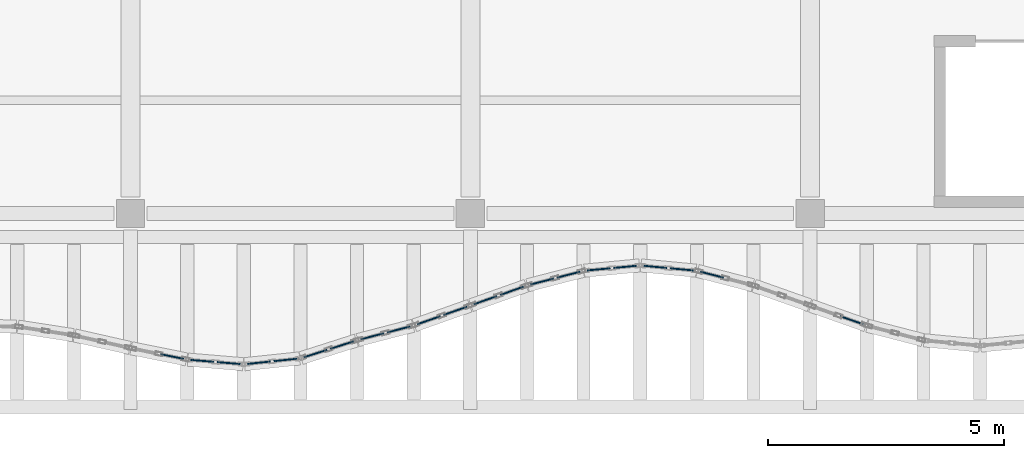
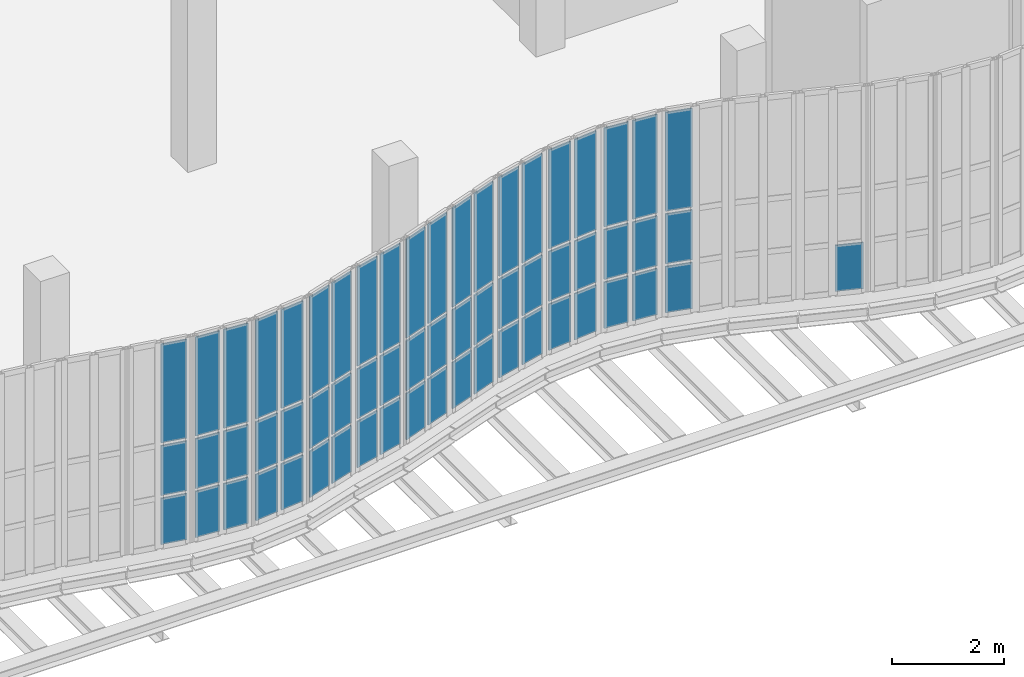
# One storey, part 78 of 105: 61 plates, 12 elements without a shape of their own.
"""IFC4 building model written with IfcOpenShell, lengths in metres."""

from ifc_helpers import new_model, si_unit, direction, frame, origin, origin_2d, place, context, subcontext, project, spatial, rectangle, extrude, material, layer, layer_set, type_object, element, aggregate, save


model = new_model("IFC4")

# Units and contexts
model_context = context("Model", 3, precision=1e-05, world=origin(), true_north=direction((0.0, 1.0)))
body_context = subcontext(model_context, "Body", "Model", "MODEL_VIEW")
ifc_project = project(units=[si_unit("LENGTHUNIT", "METRE"), si_unit("AREAUNIT", "SQUARE_METRE"), si_unit("VOLUMEUNIT", "CUBIC_METRE"), si_unit("PLANEANGLEUNIT", "RADIAN"), si_unit("MASSUNIT", "GRAM", prefix="KILO"), si_unit("THERMODYNAMICTEMPERATUREUNIT", "KELVIN"), si_unit("POWERUNIT", "WATT")], contexts=[model_context])

# Site, building, storey
site_placement = place(None, origin())
site = spatial("IfcSite", under=ifc_project, at=site_placement, CompositionType="ELEMENT")
building_placement = place(site_placement, origin())
building = spatial("IfcBuilding", under=site, at=building_placement, Name="Kaldorven Railside Theatre", CompositionType="ELEMENT")
storey_placement = place(building_placement, frame((0.0, 0.0, 9.89990234375)))
storey = spatial("IfcBuildingStorey", under=building, at=storey_placement, Name="L02", CompositionType="ELEMENT", Elevation=9.89990234375)

# Curtain wall, plates
ifc_material = material(Name="Low-E laminated solar-control glass", Category="glass")
ifc_layer_1 = layer(ifc_material, 0.159912109375, Name="Low-E laminated solar-control glass")
ifc_layer_set_1 = layer_set([ifc_layer_1], Name="Low-E laminated solar-control glass")
curtain_wall_type_1 = type_object("IfcCurtainWallType", Name="CWT-07", PredefinedType="USERDEFINED", material=ifc_layer_set_1)
curtain_wall_1_placement = place(storey_placement, origin())
curtain_wall_1 = element("IfcCurtainWall", 1, at=curtain_wall_1_placement, inside=storey, type_object=curtain_wall_type_1, Name="Sinusoidal Fluted Curtain Wall CW-L02-S43", ObjectType="FLUTED GLAZING", PredefinedType="USERDEFINED")
ifc_layer_2 = layer(ifc_material, 0.028076171875, Name="Low-E laminated solar-control glass")
ifc_layer_set_2 = layer_set([ifc_layer_2], Name="Low-E laminated solar-control glass")
plate_type = type_object("IfcPlateType", Name="CWP-GLZ28", PredefinedType="CURTAIN_PANEL", material=ifc_layer_set_2)
plate_1_placement = place(storey_placement, frame((88.080322265625, 16.169189453125, 0.06005859375), z_axis=(0.0, 0.0, 1.0), x_axis=(0.980122525097, -0.198393134453, 0.0)))
plate_1 = element("IfcPlate", 2, at=plate_1_placement, type_object=plate_type, Name="CW-L02-S43 panel 2.1", PredefinedType="CURTAIN_PANEL", context=body_context, shape_type="SweptSolid", body=[
    extrude(rectangle(XDim=0.4921875, YDim=0.028076171875, at=origin_2d()), origin(), (0.0, 0.0, 1.0), 1.010009765625),
])
plate_2_placement = place(storey_placement, frame((88.080322265625, 16.169189453125, 1.1298828125), z_axis=(0.0, 0.0, 1.0), x_axis=(0.980122525097, -0.198393134453, 0.0)))
plate_2 = element("IfcPlate", 3, at=plate_2_placement, type_object=plate_type, Name="CW-L02-S43 panel 2.2", PredefinedType="CURTAIN_PANEL", context=body_context, shape_type="SweptSolid", body=[
    extrude(rectangle(XDim=0.4921875, YDim=0.028076171875, at=origin_2d()), origin(), (0.0, 0.0, 1.0), 1.090087890625),
])
plate_3_placement = place(storey_placement, frame((88.080322265625, 16.169189453125, 2.2802734375), z_axis=(0.0, 0.0, 1.0), x_axis=(0.980122525097, -0.198393134453, 0.0)))
plate_3 = element("IfcPlate", 4, at=plate_3_placement, type_object=plate_type, Name="CW-L02-S43 panel 2.3", PredefinedType="CURTAIN_PANEL", context=body_context, shape_type="SweptSolid", body=[
    extrude(rectangle(XDim=0.4921875, YDim=0.028076171875, at=origin_2d()), origin(), (0.0, 0.0, 1.0), 2.159912109375),
])
aggregate(curtain_wall_1, [plate_1, plate_2, plate_3])

ifc_layer_3 = layer(ifc_material, 0.159912109375, Name="Low-E laminated solar-control glass")
ifc_layer_set_3 = layer_set([ifc_layer_3], Name="Low-E laminated solar-control glass")
curtain_wall_type_2 = type_object("IfcCurtainWallType", Name="CWT-03", PredefinedType="USERDEFINED", material=ifc_layer_set_3)
curtain_wall_2_placement = place(storey_placement, origin())
curtain_wall_2 = element("IfcCurtainWall", 5, at=curtain_wall_2_placement, inside=storey, type_object=curtain_wall_type_2, Name="Sinusoidal Fluted Curtain Wall CW-L02-S44", ObjectType="FLUTED GLAZING", PredefinedType="USERDEFINED")
plate_4_placement = place(storey_placement, frame((88.719970703125, 16.07763671875, 0.06005859375), z_axis=(0.0, 0.0, 1.0), x_axis=(0.996531999326, -0.08321042194, 0.0)))
plate_4 = element("IfcPlate", 6, at=plate_4_placement, type_object=plate_type, Name="CW-L02-S44 panel 1.1", PredefinedType="CURTAIN_PANEL", context=body_context, shape_type="SweptSolid", body=[
    extrude(rectangle(XDim=0.482177734375, YDim=0.028076171875, at=origin_2d()), origin(), (0.0, 0.0, 1.0), 1.010009765625),
])
plate_5_placement = place(storey_placement, frame((88.719970703125, 16.07763671875, 1.1298828125), z_axis=(0.0, 0.0, 1.0), x_axis=(0.996531999326, -0.08321042194, 0.0)))
plate_5 = element("IfcPlate", 7, at=plate_5_placement, type_object=plate_type, Name="CW-L02-S44 panel 1.2", PredefinedType="CURTAIN_PANEL", context=body_context, shape_type="SweptSolid", body=[
    extrude(rectangle(XDim=0.482177734375, YDim=0.028076171875, at=origin_2d()), origin(), (0.0, 0.0, 1.0), 1.090087890625),
])
plate_6_placement = place(storey_placement, frame((88.719970703125, 16.07763671875, 2.2802734375), z_axis=(0.0, 0.0, 1.0), x_axis=(0.996531999326, -0.08321042194, 0.0)))
plate_6 = element("IfcPlate", 8, at=plate_6_placement, type_object=plate_type, Name="CW-L02-S44 panel 1.3", PredefinedType="CURTAIN_PANEL", context=body_context, shape_type="SweptSolid", body=[
    extrude(rectangle(XDim=0.482177734375, YDim=0.028076171875, at=origin_2d()), origin(), (0.0, 0.0, 1.0), 2.159912109375),
])
plate_7_placement = place(storey_placement, frame((89.280029296875, 16.031005859375, 0.06005859375), z_axis=(0.0, 0.0, 1.0), x_axis=(0.996531999326, -0.08321042194, 0.0)))
plate_7 = element("IfcPlate", 9, at=plate_7_placement, type_object=plate_type, Name="CW-L02-S44 panel 2.1", PredefinedType="CURTAIN_PANEL", context=body_context, shape_type="SweptSolid", body=[
    extrude(rectangle(XDim=0.482177734375, YDim=0.028076171875, at=origin_2d()), origin(), (0.0, 0.0, 1.0), 1.010009765625),
])
plate_8_placement = place(storey_placement, frame((89.280029296875, 16.031005859375, 1.1298828125), z_axis=(0.0, 0.0, 1.0), x_axis=(0.996531999326, -0.08321042194, 0.0)))
plate_8 = element("IfcPlate", 10, at=plate_8_placement, type_object=plate_type, Name="CW-L02-S44 panel 2.2", PredefinedType="CURTAIN_PANEL", context=body_context, shape_type="SweptSolid", body=[
    extrude(rectangle(XDim=0.482177734375, YDim=0.028076171875, at=origin_2d()), origin(), (0.0, 0.0, 1.0), 1.090087890625),
])
plate_9_placement = place(storey_placement, frame((89.280029296875, 16.031005859375, 2.2802734375), z_axis=(0.0, 0.0, 1.0), x_axis=(0.996531999326, -0.08321042194, 0.0)))
plate_9 = element("IfcPlate", 11, at=plate_9_placement, type_object=plate_type, Name="CW-L02-S44 panel 2.3", PredefinedType="CURTAIN_PANEL", context=body_context, shape_type="SweptSolid", body=[
    extrude(rectangle(XDim=0.482177734375, YDim=0.028076171875, at=origin_2d()), origin(), (0.0, 0.0, 1.0), 2.159912109375),
])
aggregate(curtain_wall_2, [plate_4, plate_5, plate_6, plate_7, plate_8, plate_9])

curtain_wall_3_placement = place(storey_placement, origin())
curtain_wall_3 = element("IfcCurtainWall", 12, at=curtain_wall_3_placement, inside=storey, type_object=curtain_wall_type_2, Name="Sinusoidal Fluted Curtain Wall CW-L02-S45", ObjectType="FLUTED GLAZING", PredefinedType="USERDEFINED")
plate_10_placement = place(storey_placement, frame((89.919921875, 16.037841796875, 0.06005859375), z_axis=(0.0, 0.0, 1.0), x_axis=(0.994524056135, 0.104507902898, 0.0)))
plate_10 = element("IfcPlate", 13, at=plate_10_placement, type_object=plate_type, Name="CW-L02-S45 panel 1.1", PredefinedType="CURTAIN_PANEL", context=body_context, shape_type="SweptSolid", body=[
    extrude(rectangle(XDim=0.4833984375, YDim=0.028076171875, at=origin_2d()), origin(), (0.0, 0.0, 1.0), 1.010009765625),
])
plate_11_placement = place(storey_placement, frame((89.919921875, 16.037841796875, 1.1298828125), z_axis=(0.0, 0.0, 1.0), x_axis=(0.994524056135, 0.104507902898, 0.0)))
plate_11 = element("IfcPlate", 14, at=plate_11_placement, type_object=plate_type, Name="CW-L02-S45 panel 1.2", PredefinedType="CURTAIN_PANEL", context=body_context, shape_type="SweptSolid", body=[
    extrude(rectangle(XDim=0.4833984375, YDim=0.028076171875, at=origin_2d()), origin(), (0.0, 0.0, 1.0), 1.090087890625),
])
plate_12_placement = place(storey_placement, frame((89.919921875, 16.037841796875, 2.2802734375), z_axis=(0.0, 0.0, 1.0), x_axis=(0.994524056135, 0.104507902898, 0.0)))
plate_12 = element("IfcPlate", 15, at=plate_12_placement, type_object=plate_type, Name="CW-L02-S45 panel 1.3", PredefinedType="CURTAIN_PANEL", context=body_context, shape_type="SweptSolid", body=[
    extrude(rectangle(XDim=0.4833984375, YDim=0.028076171875, at=origin_2d()), origin(), (0.0, 0.0, 1.0), 2.159912109375),
])
plate_13_placement = place(storey_placement, frame((90.480224609375, 16.0966796875, 0.06005859375), z_axis=(0.0, 0.0, 1.0), x_axis=(0.994524056135, 0.104507902898, 0.0)))
plate_13 = element("IfcPlate", 16, at=plate_13_placement, type_object=plate_type, Name="CW-L02-S45 panel 2.1", PredefinedType="CURTAIN_PANEL", context=body_context, shape_type="SweptSolid", body=[
    extrude(rectangle(XDim=0.4833984375, YDim=0.028076171875, at=origin_2d()), origin(), (0.0, 0.0, 1.0), 1.010009765625),
])
plate_14_placement = place(storey_placement, frame((90.480224609375, 16.0966796875, 1.1298828125), z_axis=(0.0, 0.0, 1.0), x_axis=(0.994524056135, 0.104507902898, 0.0)))
plate_14 = element("IfcPlate", 17, at=plate_14_placement, type_object=plate_type, Name="CW-L02-S45 panel 2.2", PredefinedType="CURTAIN_PANEL", context=body_context, shape_type="SweptSolid", body=[
    extrude(rectangle(XDim=0.4833984375, YDim=0.028076171875, at=origin_2d()), origin(), (0.0, 0.0, 1.0), 1.090087890625),
])
plate_15_placement = place(storey_placement, frame((90.480224609375, 16.0966796875, 2.2802734375), z_axis=(0.0, 0.0, 1.0), x_axis=(0.994524056135, 0.104507902898, 0.0)))
plate_15 = element("IfcPlate", 18, at=plate_15_placement, type_object=plate_type, Name="CW-L02-S45 panel 2.3", PredefinedType="CURTAIN_PANEL", context=body_context, shape_type="SweptSolid", body=[
    extrude(rectangle(XDim=0.4833984375, YDim=0.028076171875, at=origin_2d()), origin(), (0.0, 0.0, 1.0), 2.159912109375),
])
aggregate(curtain_wall_3, [plate_10, plate_11, plate_12, plate_13, plate_14, plate_15])

ifc_layer_4 = layer(ifc_material, 0.159912109375, Name="Low-E laminated solar-control glass")
ifc_layer_set_4 = layer_set([ifc_layer_4], Name="Low-E laminated solar-control glass")
curtain_wall_type_3 = type_object("IfcCurtainWallType", Name="CWT-04", PredefinedType="USERDEFINED", material=ifc_layer_set_4)
curtain_wall_4_placement = place(storey_placement, origin())
curtain_wall_4 = element("IfcCurtainWall", 19, at=curtain_wall_4_placement, inside=storey, type_object=curtain_wall_type_3, Name="Sinusoidal Fluted Curtain Wall CW-L02-S46", ObjectType="FLUTED GLAZING", PredefinedType="USERDEFINED")
plate_16_placement = place(storey_placement, frame((91.119140625, 16.232177734375, 0.06005859375), z_axis=(0.0, 0.0, 1.0), x_axis=(0.952516267779, 0.304487700272, 0.0)))
plate_16 = element("IfcPlate", 20, at=plate_16_placement, type_object=plate_type, Name="CW-L02-S46 panel 1.1", PredefinedType="CURTAIN_PANEL", context=body_context, shape_type="SweptSolid", body=[
    extrude(rectangle(XDim=0.510009765625, YDim=0.028076171875, at=origin_2d()), origin(), (0.0, 0.0, 1.0), 1.010009765625),
])
plate_17_placement = place(storey_placement, frame((91.119140625, 16.232177734375, 1.1298828125), z_axis=(0.0, 0.0, 1.0), x_axis=(0.952516267779, 0.304487700272, 0.0)))
plate_17 = element("IfcPlate", 21, at=plate_17_placement, type_object=plate_type, Name="CW-L02-S46 panel 1.2", PredefinedType="CURTAIN_PANEL", context=body_context, shape_type="SweptSolid", body=[
    extrude(rectangle(XDim=0.510009765625, YDim=0.028076171875, at=origin_2d()), origin(), (0.0, 0.0, 1.0), 1.090087890625),
])
plate_18_placement = place(storey_placement, frame((91.119140625, 16.232177734375, 2.2802734375), z_axis=(0.0, 0.0, 1.0), x_axis=(0.952516267779, 0.304487700272, 0.0)))
plate_18 = element("IfcPlate", 22, at=plate_18_placement, type_object=plate_type, Name="CW-L02-S46 panel 1.3", PredefinedType="CURTAIN_PANEL", context=body_context, shape_type="SweptSolid", body=[
    extrude(rectangle(XDim=0.510009765625, YDim=0.028076171875, at=origin_2d()), origin(), (0.0, 0.0, 1.0), 2.159912109375),
])
plate_19_placement = place(storey_placement, frame((91.680908203125, 16.411865234375, 0.06005859375), z_axis=(0.0, 0.0, 1.0), x_axis=(0.952516267779, 0.304487700272, 0.0)))
plate_19 = element("IfcPlate", 23, at=plate_19_placement, type_object=plate_type, Name="CW-L02-S46 panel 2.1", PredefinedType="CURTAIN_PANEL", context=body_context, shape_type="SweptSolid", body=[
    extrude(rectangle(XDim=0.510009765625, YDim=0.028076171875, at=origin_2d()), origin(), (0.0, 0.0, 1.0), 1.010009765625),
])
plate_20_placement = place(storey_placement, frame((91.680908203125, 16.411865234375, 1.1298828125), z_axis=(0.0, 0.0, 1.0), x_axis=(0.952516267779, 0.304487700272, 0.0)))
plate_20 = element("IfcPlate", 24, at=plate_20_placement, type_object=plate_type, Name="CW-L02-S46 panel 2.2", PredefinedType="CURTAIN_PANEL", context=body_context, shape_type="SweptSolid", body=[
    extrude(rectangle(XDim=0.510009765625, YDim=0.028076171875, at=origin_2d()), origin(), (0.0, 0.0, 1.0), 1.090087890625),
])
plate_21_placement = place(storey_placement, frame((91.680908203125, 16.411865234375, 2.2802734375), z_axis=(0.0, 0.0, 1.0), x_axis=(0.952516267779, 0.304487700272, 0.0)))
plate_21 = element("IfcPlate", 25, at=plate_21_placement, type_object=plate_type, Name="CW-L02-S46 panel 2.3", PredefinedType="CURTAIN_PANEL", context=body_context, shape_type="SweptSolid", body=[
    extrude(rectangle(XDim=0.510009765625, YDim=0.028076171875, at=origin_2d()), origin(), (0.0, 0.0, 1.0), 2.159912109375),
])
aggregate(curtain_wall_4, [plate_16, plate_17, plate_18, plate_19, plate_20, plate_21])

ifc_layer_5 = layer(ifc_material, 0.159912109375, Name="Low-E laminated solar-control glass")
ifc_layer_set_5 = layer_set([ifc_layer_5], Name="Low-E laminated solar-control glass")
curtain_wall_type_4 = type_object("IfcCurtainWallType", Name="CWT-02", PredefinedType="USERDEFINED", material=ifc_layer_set_5)
curtain_wall_5_placement = place(storey_placement, origin())
curtain_wall_5 = element("IfcCurtainWall", 26, at=curtain_wall_5_placement, inside=storey, type_object=curtain_wall_type_4, Name="Sinusoidal Fluted Curtain Wall CW-L02-S47", ObjectType="FLUTED GLAZING", PredefinedType="USERDEFINED")
plate_22_placement = place(storey_placement, frame((92.3193359375, 16.5966796875, 0.06005859375), z_axis=(0.0, 0.0, 1.0), x_axis=(0.967999075505, 0.250953760326, 0.0)))
plate_22 = element("IfcPlate", 27, at=plate_22_placement, type_object=plate_type, Name="CW-L02-S47 panel 1.1", PredefinedType="CURTAIN_PANEL", context=body_context, shape_type="SweptSolid", body=[
    extrude(rectangle(XDim=0.499755859375, YDim=0.028076171875, at=origin_2d()), origin(), (0.0, 0.0, 1.0), 1.010009765625),
])
plate_23_placement = place(storey_placement, frame((92.3193359375, 16.5966796875, 1.1298828125), z_axis=(0.0, 0.0, 1.0), x_axis=(0.967999075505, 0.250953760326, 0.0)))
plate_23 = element("IfcPlate", 28, at=plate_23_placement, type_object=plate_type, Name="CW-L02-S47 panel 1.2", PredefinedType="CURTAIN_PANEL", context=body_context, shape_type="SweptSolid", body=[
    extrude(rectangle(XDim=0.499755859375, YDim=0.028076171875, at=origin_2d()), origin(), (0.0, 0.0, 1.0), 1.090087890625),
])
plate_24_placement = place(storey_placement, frame((92.3193359375, 16.5966796875, 2.2802734375), z_axis=(0.0, 0.0, 1.0), x_axis=(0.967999075505, 0.250953760326, 0.0)))
plate_24 = element("IfcPlate", 29, at=plate_24_placement, type_object=plate_type, Name="CW-L02-S47 panel 1.3", PredefinedType="CURTAIN_PANEL", context=body_context, shape_type="SweptSolid", body=[
    extrude(rectangle(XDim=0.499755859375, YDim=0.028076171875, at=origin_2d()), origin(), (0.0, 0.0, 1.0), 2.159912109375),
])
plate_25_placement = place(storey_placement, frame((92.880615234375, 16.7421875, 0.06005859375), z_axis=(0.0, 0.0, 1.0), x_axis=(0.967999075505, 0.250953760326, 0.0)))
plate_25 = element("IfcPlate", 30, at=plate_25_placement, type_object=plate_type, Name="CW-L02-S47 panel 2.1", PredefinedType="CURTAIN_PANEL", context=body_context, shape_type="SweptSolid", body=[
    extrude(rectangle(XDim=0.499755859375, YDim=0.028076171875, at=origin_2d()), origin(), (0.0, 0.0, 1.0), 1.010009765625),
])
plate_26_placement = place(storey_placement, frame((92.880615234375, 16.7421875, 1.1298828125), z_axis=(0.0, 0.0, 1.0), x_axis=(0.967999075505, 0.250953760326, 0.0)))
plate_26 = element("IfcPlate", 31, at=plate_26_placement, type_object=plate_type, Name="CW-L02-S47 panel 2.2", PredefinedType="CURTAIN_PANEL", context=body_context, shape_type="SweptSolid", body=[
    extrude(rectangle(XDim=0.499755859375, YDim=0.028076171875, at=origin_2d()), origin(), (0.0, 0.0, 1.0), 1.090087890625),
])
plate_27_placement = place(storey_placement, frame((92.880615234375, 16.7421875, 2.2802734375), z_axis=(0.0, 0.0, 1.0), x_axis=(0.967999075505, 0.250953760326, 0.0)))
plate_27 = element("IfcPlate", 32, at=plate_27_placement, type_object=plate_type, Name="CW-L02-S47 panel 2.3", PredefinedType="CURTAIN_PANEL", context=body_context, shape_type="SweptSolid", body=[
    extrude(rectangle(XDim=0.499755859375, YDim=0.028076171875, at=origin_2d()), origin(), (0.0, 0.0, 1.0), 2.159912109375),
])
aggregate(curtain_wall_5, [plate_22, plate_23, plate_24, plate_25, plate_26, plate_27])

ifc_layer_6 = layer(ifc_material, 0.159912109375, Name="Low-E laminated solar-control glass")
ifc_layer_set_6 = layer_set([ifc_layer_6], Name="Low-E laminated solar-control glass")
curtain_wall_type_5 = type_object("IfcCurtainWallType", Name="CWT-01", PredefinedType="USERDEFINED", material=ifc_layer_set_6)
curtain_wall_6_placement = place(storey_placement, origin())
curtain_wall_6 = element("IfcCurtainWall", 33, at=curtain_wall_6_placement, inside=storey, type_object=curtain_wall_type_5, Name="Sinusoidal Fluted Curtain Wall CW-L02-S48", ObjectType="FLUTED GLAZING", PredefinedType="USERDEFINED")
plate_28_placement = place(storey_placement, frame((93.518798828125, 16.93798828125, 0.06005859375), z_axis=(0.0, 0.0, 1.0), x_axis=(0.942627225159, 0.33384714225, 0.0)))
plate_28 = element("IfcPlate", 34, at=plate_28_placement, type_object=plate_type, Name="CW-L02-S48 panel 1.1", PredefinedType="CURTAIN_PANEL", context=body_context, shape_type="SweptSolid", body=[
    extrude(rectangle(XDim=0.5166015625, YDim=0.028076171875, at=origin_2d()), origin(), (0.0, 0.0, 1.0), 1.010009765625),
])
plate_29_placement = place(storey_placement, frame((93.518798828125, 16.93798828125, 1.1298828125), z_axis=(0.0, 0.0, 1.0), x_axis=(0.942627225159, 0.33384714225, 0.0)))
plate_29 = element("IfcPlate", 35, at=plate_29_placement, type_object=plate_type, Name="CW-L02-S48 panel 1.2", PredefinedType="CURTAIN_PANEL", context=body_context, shape_type="SweptSolid", body=[
    extrude(rectangle(XDim=0.5166015625, YDim=0.028076171875, at=origin_2d()), origin(), (0.0, 0.0, 1.0), 1.090087890625),
])
plate_30_placement = place(storey_placement, frame((93.518798828125, 16.93798828125, 2.2802734375), z_axis=(0.0, 0.0, 1.0), x_axis=(0.942627225159, 0.33384714225, 0.0)))
plate_30 = element("IfcPlate", 36, at=plate_30_placement, type_object=plate_type, Name="CW-L02-S48 panel 1.3", PredefinedType="CURTAIN_PANEL", context=body_context, shape_type="SweptSolid", body=[
    extrude(rectangle(XDim=0.5166015625, YDim=0.028076171875, at=origin_2d()), origin(), (0.0, 0.0, 1.0), 2.159912109375),
])
plate_31_placement = place(storey_placement, frame((94.0810546875, 17.136962890625, 0.06005859375), z_axis=(0.0, 0.0, 1.0), x_axis=(0.942627225159, 0.33384714225, 0.0)))
plate_31 = element("IfcPlate", 37, at=plate_31_placement, type_object=plate_type, Name="CW-L02-S48 panel 2.1", PredefinedType="CURTAIN_PANEL", context=body_context, shape_type="SweptSolid", body=[
    extrude(rectangle(XDim=0.5166015625, YDim=0.028076171875, at=origin_2d()), origin(), (0.0, 0.0, 1.0), 1.010009765625),
])
plate_32_placement = place(storey_placement, frame((94.0810546875, 17.136962890625, 1.1298828125), z_axis=(0.0, 0.0, 1.0), x_axis=(0.942627225159, 0.33384714225, 0.0)))
plate_32 = element("IfcPlate", 38, at=plate_32_placement, type_object=plate_type, Name="CW-L02-S48 panel 2.2", PredefinedType="CURTAIN_PANEL", context=body_context, shape_type="SweptSolid", body=[
    extrude(rectangle(XDim=0.5166015625, YDim=0.028076171875, at=origin_2d()), origin(), (0.0, 0.0, 1.0), 1.090087890625),
])
plate_33_placement = place(storey_placement, frame((94.0810546875, 17.136962890625, 2.2802734375), z_axis=(0.0, 0.0, 1.0), x_axis=(0.942627225159, 0.33384714225, 0.0)))
plate_33 = element("IfcPlate", 39, at=plate_33_placement, type_object=plate_type, Name="CW-L02-S48 panel 2.3", PredefinedType="CURTAIN_PANEL", context=body_context, shape_type="SweptSolid", body=[
    extrude(rectangle(XDim=0.5166015625, YDim=0.028076171875, at=origin_2d()), origin(), (0.0, 0.0, 1.0), 2.159912109375),
])
aggregate(curtain_wall_6, [plate_28, plate_29, plate_30, plate_31, plate_32, plate_33])

curtain_wall_7_placement = place(storey_placement, origin())
curtain_wall_7 = element("IfcCurtainWall", 40, at=curtain_wall_7_placement, inside=storey, type_object=curtain_wall_type_5, Name="Sinusoidal Fluted Curtain Wall CW-L02-S49", ObjectType="FLUTED GLAZING", PredefinedType="USERDEFINED")
plate_34_placement = place(storey_placement, frame((94.71875, 17.363037109375, 0.06005859375), z_axis=(0.0, 0.0, 1.0), x_axis=(0.942627225159, 0.33384714225, 0.0)))
plate_34 = element("IfcPlate", 41, at=plate_34_placement, type_object=plate_type, Name="CW-L02-S49 panel 1.1", PredefinedType="CURTAIN_PANEL", context=body_context, shape_type="SweptSolid", body=[
    extrude(rectangle(XDim=0.5166015625, YDim=0.028076171875, at=origin_2d()), origin(), (0.0, 0.0, 1.0), 1.010009765625),
])
plate_35_placement = place(storey_placement, frame((94.71875, 17.363037109375, 1.1298828125), z_axis=(0.0, 0.0, 1.0), x_axis=(0.942627225159, 0.33384714225, 0.0)))
plate_35 = element("IfcPlate", 42, at=plate_35_placement, type_object=plate_type, Name="CW-L02-S49 panel 1.2", PredefinedType="CURTAIN_PANEL", context=body_context, shape_type="SweptSolid", body=[
    extrude(rectangle(XDim=0.5166015625, YDim=0.028076171875, at=origin_2d()), origin(), (0.0, 0.0, 1.0), 1.090087890625),
])
plate_36_placement = place(storey_placement, frame((94.71875, 17.363037109375, 2.2802734375), z_axis=(0.0, 0.0, 1.0), x_axis=(0.942627225159, 0.33384714225, 0.0)))
plate_36 = element("IfcPlate", 43, at=plate_36_placement, type_object=plate_type, Name="CW-L02-S49 panel 1.3", PredefinedType="CURTAIN_PANEL", context=body_context, shape_type="SweptSolid", body=[
    extrude(rectangle(XDim=0.5166015625, YDim=0.028076171875, at=origin_2d()), origin(), (0.0, 0.0, 1.0), 2.159912109375),
])
plate_37_placement = place(storey_placement, frame((95.28125, 17.56201171875, 0.06005859375), z_axis=(0.0, 0.0, 1.0), x_axis=(0.942627225159, 0.33384714225, 0.0)))
plate_37 = element("IfcPlate", 44, at=plate_37_placement, type_object=plate_type, Name="CW-L02-S49 panel 2.1", PredefinedType="CURTAIN_PANEL", context=body_context, shape_type="SweptSolid", body=[
    extrude(rectangle(XDim=0.5166015625, YDim=0.028076171875, at=origin_2d()), origin(), (0.0, 0.0, 1.0), 1.010009765625),
])
plate_38_placement = place(storey_placement, frame((95.28125, 17.56201171875, 1.1298828125), z_axis=(0.0, 0.0, 1.0), x_axis=(0.942627225159, 0.33384714225, 0.0)))
plate_38 = element("IfcPlate", 45, at=plate_38_placement, type_object=plate_type, Name="CW-L02-S49 panel 2.2", PredefinedType="CURTAIN_PANEL", context=body_context, shape_type="SweptSolid", body=[
    extrude(rectangle(XDim=0.5166015625, YDim=0.028076171875, at=origin_2d()), origin(), (0.0, 0.0, 1.0), 1.090087890625),
])
plate_39_placement = place(storey_placement, frame((95.28125, 17.56201171875, 2.2802734375), z_axis=(0.0, 0.0, 1.0), x_axis=(0.942627225159, 0.33384714225, 0.0)))
plate_39 = element("IfcPlate", 46, at=plate_39_placement, type_object=plate_type, Name="CW-L02-S49 panel 2.3", PredefinedType="CURTAIN_PANEL", context=body_context, shape_type="SweptSolid", body=[
    extrude(rectangle(XDim=0.5166015625, YDim=0.028076171875, at=origin_2d()), origin(), (0.0, 0.0, 1.0), 2.159912109375),
])
aggregate(curtain_wall_7, [plate_34, plate_35, plate_36, plate_37, plate_38, plate_39])

curtain_wall_8_placement = place(storey_placement, origin())
curtain_wall_8 = element("IfcCurtainWall", 47, at=curtain_wall_8_placement, inside=storey, type_object=curtain_wall_type_4, Name="Sinusoidal Fluted Curtain Wall CW-L02-S50", ObjectType="FLUTED GLAZING", PredefinedType="USERDEFINED")
plate_40_placement = place(storey_placement, frame((95.91943359375, 17.7578125, 0.06005859375), z_axis=(0.0, 0.0, 1.0), x_axis=(0.967999075505, 0.250953760326, 0.0)))
plate_40 = element("IfcPlate", 48, at=plate_40_placement, type_object=plate_type, Name="CW-L02-S50 panel 1.1", PredefinedType="CURTAIN_PANEL", context=body_context, shape_type="SweptSolid", body=[
    extrude(rectangle(XDim=0.499755859375, YDim=0.028076171875, at=origin_2d()), origin(), (0.0, 0.0, 1.0), 1.010009765625),
])
plate_41_placement = place(storey_placement, frame((95.91943359375, 17.7578125, 1.1298828125), z_axis=(0.0, 0.0, 1.0), x_axis=(0.967999075505, 0.250953760326, 0.0)))
plate_41 = element("IfcPlate", 49, at=plate_41_placement, type_object=plate_type, Name="CW-L02-S50 panel 1.2", PredefinedType="CURTAIN_PANEL", context=body_context, shape_type="SweptSolid", body=[
    extrude(rectangle(XDim=0.499755859375, YDim=0.028076171875, at=origin_2d()), origin(), (0.0, 0.0, 1.0), 1.090087890625),
])
plate_42_placement = place(storey_placement, frame((95.91943359375, 17.7578125, 2.2802734375), z_axis=(0.0, 0.0, 1.0), x_axis=(0.967999075505, 0.250953760326, 0.0)))
plate_42 = element("IfcPlate", 50, at=plate_42_placement, type_object=plate_type, Name="CW-L02-S50 panel 1.3", PredefinedType="CURTAIN_PANEL", context=body_context, shape_type="SweptSolid", body=[
    extrude(rectangle(XDim=0.499755859375, YDim=0.028076171875, at=origin_2d()), origin(), (0.0, 0.0, 1.0), 2.159912109375),
])
plate_43_placement = place(storey_placement, frame((96.480712890625, 17.9033203125, 0.06005859375), z_axis=(0.0, 0.0, 1.0), x_axis=(0.967999075505, 0.250953760326, 0.0)))
plate_43 = element("IfcPlate", 51, at=plate_43_placement, type_object=plate_type, Name="CW-L02-S50 panel 2.1", PredefinedType="CURTAIN_PANEL", context=body_context, shape_type="SweptSolid", body=[
    extrude(rectangle(XDim=0.499755859375, YDim=0.028076171875, at=origin_2d()), origin(), (0.0, 0.0, 1.0), 1.010009765625),
])
plate_44_placement = place(storey_placement, frame((96.480712890625, 17.9033203125, 1.1298828125), z_axis=(0.0, 0.0, 1.0), x_axis=(0.967999075505, 0.250953760326, 0.0)))
plate_44 = element("IfcPlate", 52, at=plate_44_placement, type_object=plate_type, Name="CW-L02-S50 panel 2.2", PredefinedType="CURTAIN_PANEL", context=body_context, shape_type="SweptSolid", body=[
    extrude(rectangle(XDim=0.499755859375, YDim=0.028076171875, at=origin_2d()), origin(), (0.0, 0.0, 1.0), 1.090087890625),
])
plate_45_placement = place(storey_placement, frame((96.480712890625, 17.9033203125, 2.2802734375), z_axis=(0.0, 0.0, 1.0), x_axis=(0.967999075505, 0.250953760326, 0.0)))
plate_45 = element("IfcPlate", 53, at=plate_45_placement, type_object=plate_type, Name="CW-L02-S50 panel 2.3", PredefinedType="CURTAIN_PANEL", context=body_context, shape_type="SweptSolid", body=[
    extrude(rectangle(XDim=0.499755859375, YDim=0.028076171875, at=origin_2d()), origin(), (0.0, 0.0, 1.0), 2.159912109375),
])
aggregate(curtain_wall_8, [plate_40, plate_41, plate_42, plate_43, plate_44, plate_45])

curtain_wall_9_placement = place(storey_placement, origin())
curtain_wall_9 = element("IfcCurtainWall", 54, at=curtain_wall_9_placement, inside=storey, type_object=curtain_wall_type_2, Name="Sinusoidal Fluted Curtain Wall CW-L02-S51", ObjectType="FLUTED GLAZING", PredefinedType="USERDEFINED")
plate_46_placement = place(storey_placement, frame((97.119873046875, 18.016357421875, 0.06005859375), z_axis=(0.0, 0.0, 1.0), x_axis=(0.995525623425, 0.094491973758, 0.0)))
plate_46 = element("IfcPlate", 55, at=plate_46_placement, type_object=plate_type, Name="CW-L02-S51 panel 1.1", PredefinedType="CURTAIN_PANEL", context=body_context, shape_type="SweptSolid", body=[
    extrude(rectangle(XDim=0.482666015625, YDim=0.028076171875, at=origin_2d()), origin(), (0.0, 0.0, 1.0), 1.010009765625),
])
plate_47_placement = place(storey_placement, frame((97.119873046875, 18.016357421875, 1.1298828125), z_axis=(0.0, 0.0, 1.0), x_axis=(0.995525623425, 0.094491973758, 0.0)))
plate_47 = element("IfcPlate", 56, at=plate_47_placement, type_object=plate_type, Name="CW-L02-S51 panel 1.2", PredefinedType="CURTAIN_PANEL", context=body_context, shape_type="SweptSolid", body=[
    extrude(rectangle(XDim=0.482666015625, YDim=0.028076171875, at=origin_2d()), origin(), (0.0, 0.0, 1.0), 1.090087890625),
])
plate_48_placement = place(storey_placement, frame((97.119873046875, 18.016357421875, 2.2802734375), z_axis=(0.0, 0.0, 1.0), x_axis=(0.995525623425, 0.094491973758, 0.0)))
plate_48 = element("IfcPlate", 57, at=plate_48_placement, type_object=plate_type, Name="CW-L02-S51 panel 1.3", PredefinedType="CURTAIN_PANEL", context=body_context, shape_type="SweptSolid", body=[
    extrude(rectangle(XDim=0.482666015625, YDim=0.028076171875, at=origin_2d()), origin(), (0.0, 0.0, 1.0), 2.159912109375),
])
plate_49_placement = place(storey_placement, frame((97.68017578125, 18.069580078125, 0.06005859375), z_axis=(0.0, 0.0, 1.0), x_axis=(0.995525623425, 0.094491973758, 0.0)))
plate_49 = element("IfcPlate", 58, at=plate_49_placement, type_object=plate_type, Name="CW-L02-S51 panel 2.1", PredefinedType="CURTAIN_PANEL", context=body_context, shape_type="SweptSolid", body=[
    extrude(rectangle(XDim=0.482666015625, YDim=0.028076171875, at=origin_2d()), origin(), (0.0, 0.0, 1.0), 1.010009765625),
])
plate_50_placement = place(storey_placement, frame((97.68017578125, 18.069580078125, 1.1298828125), z_axis=(0.0, 0.0, 1.0), x_axis=(0.995525623425, 0.094491973758, 0.0)))
plate_50 = element("IfcPlate", 59, at=plate_50_placement, type_object=plate_type, Name="CW-L02-S51 panel 2.2", PredefinedType="CURTAIN_PANEL", context=body_context, shape_type="SweptSolid", body=[
    extrude(rectangle(XDim=0.482666015625, YDim=0.028076171875, at=origin_2d()), origin(), (0.0, 0.0, 1.0), 1.090087890625),
])
plate_51_placement = place(storey_placement, frame((97.68017578125, 18.069580078125, 2.2802734375), z_axis=(0.0, 0.0, 1.0), x_axis=(0.995525623425, 0.094491973758, 0.0)))
plate_51 = element("IfcPlate", 60, at=plate_51_placement, type_object=plate_type, Name="CW-L02-S51 panel 2.3", PredefinedType="CURTAIN_PANEL", context=body_context, shape_type="SweptSolid", body=[
    extrude(rectangle(XDim=0.482666015625, YDim=0.028076171875, at=origin_2d()), origin(), (0.0, 0.0, 1.0), 2.159912109375),
])
aggregate(curtain_wall_9, [plate_46, plate_47, plate_48, plate_49, plate_50, plate_51])

curtain_wall_10_placement = place(storey_placement, origin())
curtain_wall_10 = element("IfcCurtainWall", 61, at=curtain_wall_10_placement, inside=storey, type_object=curtain_wall_type_2, Name="Sinusoidal Fluted Curtain Wall CW-L02-S52", ObjectType="FLUTED GLAZING", PredefinedType="USERDEFINED")
plate_52_placement = place(storey_placement, frame((98.31982421875, 18.069580078125, 0.06005859375), z_axis=(0.0, 0.0, 1.0), x_axis=(0.995525623425, -0.094491973758, 0.0)))
plate_52 = element("IfcPlate", 62, at=plate_52_placement, type_object=plate_type, Name="CW-L02-S52 panel 1.1", PredefinedType="CURTAIN_PANEL", context=body_context, shape_type="SweptSolid", body=[
    extrude(rectangle(XDim=0.482666015625, YDim=0.028076171875, at=origin_2d()), origin(), (0.0, 0.0, 1.0), 1.010009765625),
])
plate_53_placement = place(storey_placement, frame((98.31982421875, 18.069580078125, 1.1298828125), z_axis=(0.0, 0.0, 1.0), x_axis=(0.995525623425, -0.094491973758, 0.0)))
plate_53 = element("IfcPlate", 63, at=plate_53_placement, type_object=plate_type, Name="CW-L02-S52 panel 1.2", PredefinedType="CURTAIN_PANEL", context=body_context, shape_type="SweptSolid", body=[
    extrude(rectangle(XDim=0.482666015625, YDim=0.028076171875, at=origin_2d()), origin(), (0.0, 0.0, 1.0), 1.090087890625),
])
plate_54_placement = place(storey_placement, frame((98.31982421875, 18.069580078125, 2.2802734375), z_axis=(0.0, 0.0, 1.0), x_axis=(0.995525623425, -0.094491973758, 0.0)))
plate_54 = element("IfcPlate", 64, at=plate_54_placement, type_object=plate_type, Name="CW-L02-S52 panel 1.3", PredefinedType="CURTAIN_PANEL", context=body_context, shape_type="SweptSolid", body=[
    extrude(rectangle(XDim=0.482666015625, YDim=0.028076171875, at=origin_2d()), origin(), (0.0, 0.0, 1.0), 2.159912109375),
])
plate_55_placement = place(storey_placement, frame((98.880126953125, 18.016357421875, 0.06005859375), z_axis=(0.0, 0.0, 1.0), x_axis=(0.995525623425, -0.094491973758, 0.0)))
plate_55 = element("IfcPlate", 65, at=plate_55_placement, type_object=plate_type, Name="CW-L02-S52 panel 2.1", PredefinedType="CURTAIN_PANEL", context=body_context, shape_type="SweptSolid", body=[
    extrude(rectangle(XDim=0.482666015625, YDim=0.028076171875, at=origin_2d()), origin(), (0.0, 0.0, 1.0), 1.010009765625),
])
plate_56_placement = place(storey_placement, frame((98.880126953125, 18.016357421875, 1.1298828125), z_axis=(0.0, 0.0, 1.0), x_axis=(0.995525623425, -0.094491973758, 0.0)))
plate_56 = element("IfcPlate", 66, at=plate_56_placement, type_object=plate_type, Name="CW-L02-S52 panel 2.2", PredefinedType="CURTAIN_PANEL", context=body_context, shape_type="SweptSolid", body=[
    extrude(rectangle(XDim=0.482666015625, YDim=0.028076171875, at=origin_2d()), origin(), (0.0, 0.0, 1.0), 1.090087890625),
])
plate_57_placement = place(storey_placement, frame((98.880126953125, 18.016357421875, 2.2802734375), z_axis=(0.0, 0.0, 1.0), x_axis=(0.995525623425, -0.094491973758, 0.0)))
plate_57 = element("IfcPlate", 67, at=plate_57_placement, type_object=plate_type, Name="CW-L02-S52 panel 2.3", PredefinedType="CURTAIN_PANEL", context=body_context, shape_type="SweptSolid", body=[
    extrude(rectangle(XDim=0.482666015625, YDim=0.028076171875, at=origin_2d()), origin(), (0.0, 0.0, 1.0), 2.159912109375),
])
aggregate(curtain_wall_10, [plate_52, plate_53, plate_54, plate_55, plate_56, plate_57])

curtain_wall_11_placement = place(storey_placement, origin())
curtain_wall_11 = element("IfcCurtainWall", 68, at=curtain_wall_11_placement, inside=storey, type_object=curtain_wall_type_4, Name="Sinusoidal Fluted Curtain Wall CW-L02-S53", ObjectType="FLUTED GLAZING", PredefinedType="USERDEFINED")
plate_58_placement = place(storey_placement, frame((99.519287109375, 17.9033203125, 0.06005859375), z_axis=(0.0, 0.0, 1.0), x_axis=(0.967999075505, -0.250953760326, 0.0)))
plate_58 = element("IfcPlate", 69, at=plate_58_placement, type_object=plate_type, Name="CW-L02-S53 panel 1.1", PredefinedType="CURTAIN_PANEL", context=body_context, shape_type="SweptSolid", body=[
    extrude(rectangle(XDim=0.499755859375, YDim=0.028076171875, at=origin_2d()), origin(), (0.0, 0.0, 1.0), 1.010009765625),
])
plate_59_placement = place(storey_placement, frame((99.519287109375, 17.9033203125, 1.1298828125), z_axis=(0.0, 0.0, 1.0), x_axis=(0.967999075505, -0.250953760326, 0.0)))
plate_59 = element("IfcPlate", 70, at=plate_59_placement, type_object=plate_type, Name="CW-L02-S53 panel 1.2", PredefinedType="CURTAIN_PANEL", context=body_context, shape_type="SweptSolid", body=[
    extrude(rectangle(XDim=0.499755859375, YDim=0.028076171875, at=origin_2d()), origin(), (0.0, 0.0, 1.0), 1.090087890625),
])
plate_60_placement = place(storey_placement, frame((99.519287109375, 17.9033203125, 2.2802734375), z_axis=(0.0, 0.0, 1.0), x_axis=(0.967999075505, -0.250953760326, 0.0)))
plate_60 = element("IfcPlate", 71, at=plate_60_placement, type_object=plate_type, Name="CW-L02-S53 panel 1.3", PredefinedType="CURTAIN_PANEL", context=body_context, shape_type="SweptSolid", body=[
    extrude(rectangle(XDim=0.499755859375, YDim=0.028076171875, at=origin_2d()), origin(), (0.0, 0.0, 1.0), 2.159912109375),
])
aggregate(curtain_wall_11, [plate_58, plate_59, plate_60])

# Curtain wall, plate
curtain_wall_12_placement = place(storey_placement, origin())
curtain_wall_12 = element("IfcCurtainWall", 72, at=curtain_wall_12_placement, inside=storey, type_object=curtain_wall_type_5, Name="Sinusoidal Fluted Curtain Wall CW-L02-S55", ObjectType="FLUTED GLAZING", PredefinedType="USERDEFINED")
plate_61_placement = place(storey_placement, frame((102.481201171875, 16.93798828125, 0.06005859375), z_axis=(0.0, 0.0, 1.0), x_axis=(0.942627225159, -0.33384714225, 0.0)))
plate_61 = element("IfcPlate", 73, at=plate_61_placement, type_object=plate_type, Name="CW-L02-S55 panel 2.1", PredefinedType="CURTAIN_PANEL", context=body_context, shape_type="SweptSolid", body=[
    extrude(rectangle(XDim=0.5166015625, YDim=0.028076171875, at=origin_2d()), origin(), (0.0, 0.0, 1.0), 1.010009765625),
])
aggregate(curtain_wall_12, [plate_61])

save(model, "model.ifc")
